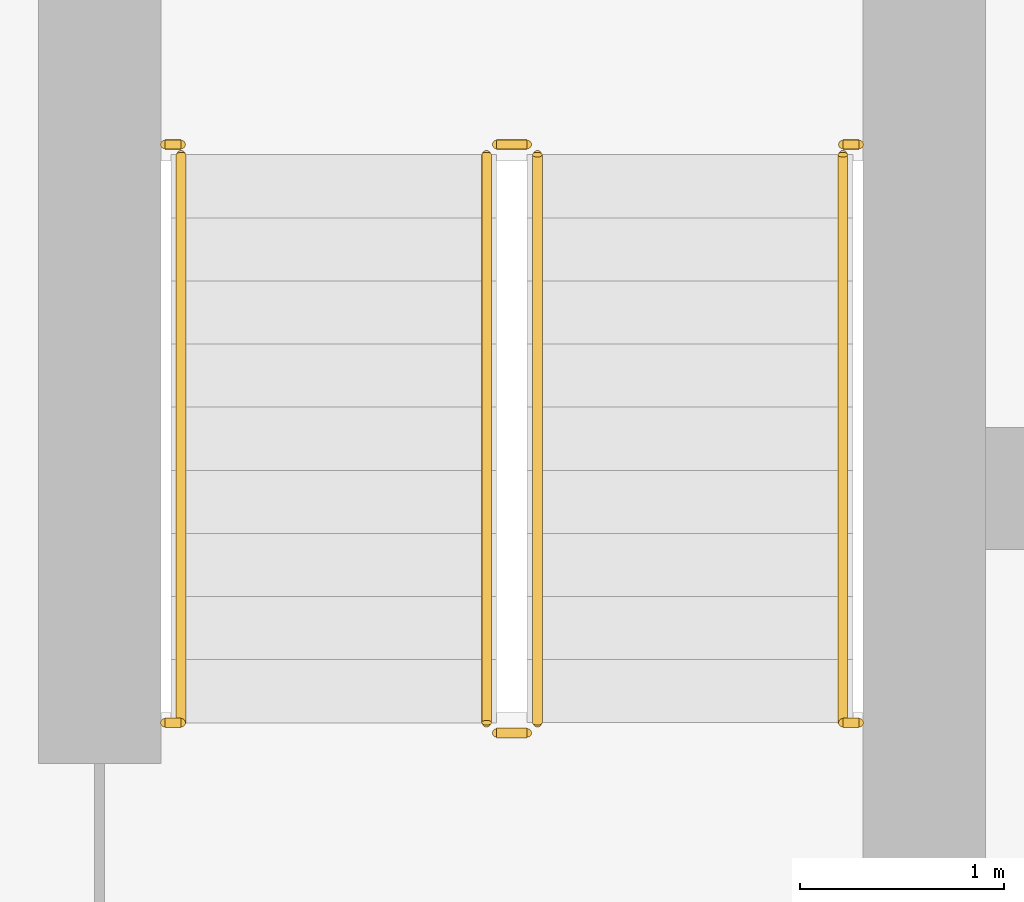
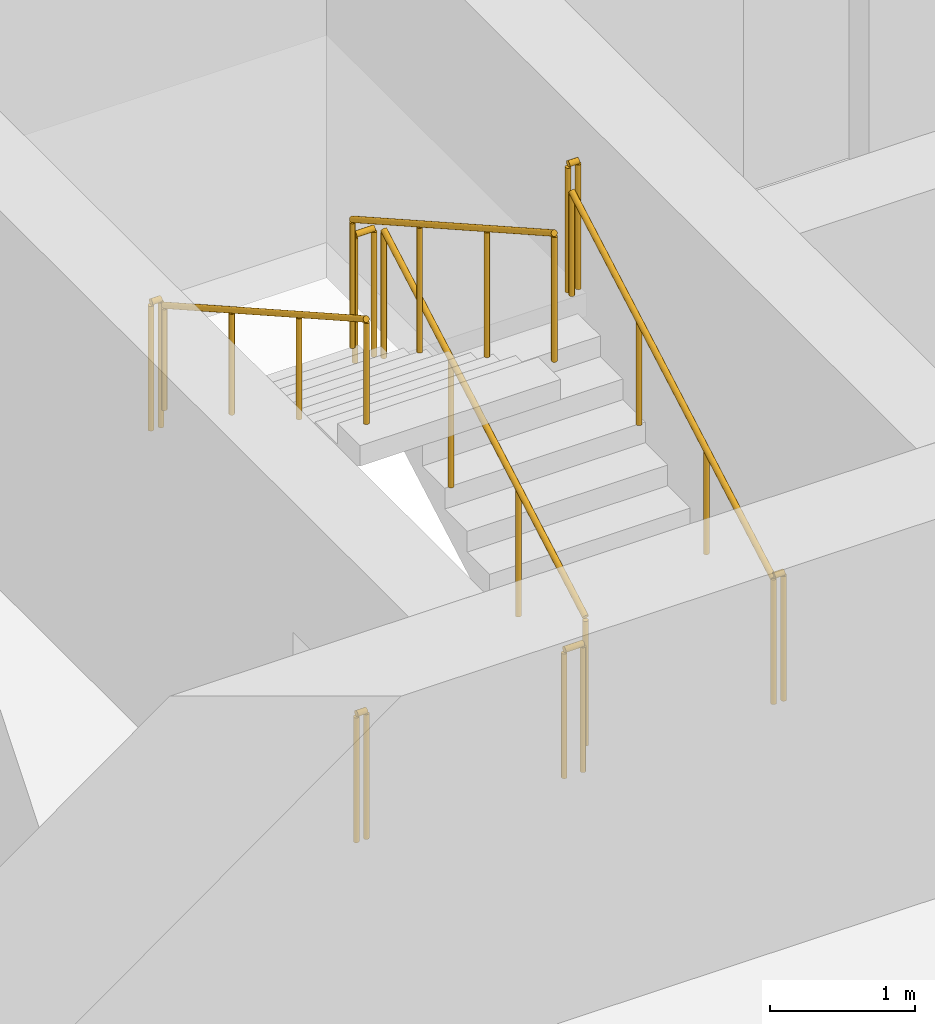
# One storey, part 18 of 22: 10 railings.
"""IFC4 building model written with IfcOpenShell, lengths in metres."""

from ifc_helpers import new_model, si_unit, direction, frame, origin, origin_2d, place, context, subcontext, project, spatial, circle, extrude, material, type_object, element, save


model = new_model("IFC4")

# Units and contexts
model_context = context("Model", 3, precision=1e-05, world=origin(), true_north=direction((0.0, 1.0)))
body_context = subcontext(model_context, "Body", "Model", "MODEL_VIEW")
ifc_project = project(units=[si_unit("LENGTHUNIT", "METRE"), si_unit("AREAUNIT", "SQUARE_METRE"), si_unit("VOLUMEUNIT", "CUBIC_METRE"), si_unit("PLANEANGLEUNIT", "RADIAN"), si_unit("MASSUNIT", "GRAM", prefix="KILO")], contexts=[model_context])

# Site, building, storey
site_placement = place(None, origin())
site = spatial("IfcSite", under=ifc_project, at=site_placement, CompositionType="ELEMENT")
building_placement = place(site_placement, origin())
building = spatial("IfcBuilding", under=site, at=building_placement, Name="Madar Terraces", CompositionType="ELEMENT")
storey_placement = place(building_placement, frame((0.0, 0.0, 149.0)))
storey = spatial("IfcBuildingStorey", under=building, at=storey_placement, Name="L38", CompositionType="ELEMENT", Elevation=149.0)

# Railings
ifc_material_1 = material(Name="Stainless steel railing", Category="steel")
railing_type_1 = type_object("IfcRailingType", Name="Stair guard 1100", PredefinedType="GUARDRAIL", material=ifc_material_1)
railing_1_placement = place(storey_placement, frame((21.199951171875, 17.60009765625, 0.175048828125)))
element("IfcRailing", 1, at=railing_1_placement, inside=storey, type_object=railing_type_1, Name="L38 ST1 stair guard 1", PredefinedType="GUARDRAIL", context=body_context, shape_type="SweptSolid", body=[
    extrude(circle(Radius=0.02392578125, at=origin_2d()), frame((0.0, 0.0, 1.076171875), z_axis=(0.0, 0.870815363784, 0.491610213684), x_axis=(-1.0, 0.0, 0.0)), (0.0, 0.0, 1.0), 3.20361328125),
    extrude(circle(Radius=0.02099609375, at=origin_2d()), origin(), (0.0, 0.0, 1.0), 1.052001953125),
    extrude(circle(Radius=0.02099609375, at=origin_2d()), frame((0.0, 0.929931640625, 0.52490234375)), (0.0, 0.0, 1.0), 1.052001953125),
    extrude(circle(Radius=0.02099609375, at=origin_2d()), frame((0.0, 1.85986328125, 1.050048828125)), (0.0, 0.0, 1.0), 1.052001953125),
    extrude(circle(Radius=0.02099609375, at=origin_2d()), frame((0.0, 2.789794921875, 1.574951171875)), (0.0, 0.0, 1.0), 1.052001953125),
])
railing_2_placement = place(storey_placement, frame((21.14990234375, 20.43994140625, 1.75)))
element("IfcRailing", 2, at=railing_2_placement, inside=storey, type_object=railing_type_1, Name="L38 ST1 stair guard 2", PredefinedType="GUARDRAIL", context=body_context, shape_type="SweptSolid", body=[
    extrude(circle(Radius=0.02392578125, at=origin_2d()), frame((0.0, 0.0, 1.076171875), z_axis=(-1.0, 0.0, 0.0), x_axis=(0.0, -1.0, 0.0)), (0.0, 0.0, 1.0), 0.14990234375),
    extrude(circle(Radius=0.02099609375, at=origin_2d()), origin(), (0.0, 0.0, 1.0), 1.052001953125),
    extrude(circle(Radius=0.02099609375, at=origin_2d()), frame((-0.14990234375, 0.0, 0.0)), (0.0, 0.0, 1.0), 1.052001953125),
])
railing_3_placement = place(storey_placement, frame((20.949951171875, 20.389892578125, 1.925048828125)))
element("IfcRailing", 3, at=railing_3_placement, inside=storey, type_object=railing_type_1, Name="L38 ST1 stair guard 3", PredefinedType="GUARDRAIL", context=body_context, shape_type="SweptSolid", body=[
    extrude(circle(Radius=0.02392578125, at=origin_2d()), frame((0.0, 0.0, 1.076171875), z_axis=(0.0, -0.870815363784, 0.491610213684), x_axis=(1.0, 0.0, 0.0)), (0.0, 0.0, 1.0), 3.20361328125),
    extrude(circle(Radius=0.02099609375, at=origin_2d()), origin(), (0.0, 0.0, 1.0), 1.052001953125),
    extrude(circle(Radius=0.02099609375, at=origin_2d()), frame((0.0, -0.929931640625, 0.52490234375)), (0.0, 0.0, 1.0), 1.052001953125),
    extrude(circle(Radius=0.02099609375, at=origin_2d()), frame((0.0, -1.85986328125, 1.050048828125)), (0.0, 0.0, 1.0), 1.052001953125),
    extrude(circle(Radius=0.02099609375, at=origin_2d()), frame((0.0, -2.789794921875, 1.574951171875)), (0.0, 0.0, 1.0), 1.052001953125),
])
railing_4_placement = place(storey_placement, frame((21.14990234375, 17.550048828125, 0.0)))
element("IfcRailing", 4, at=railing_4_placement, inside=storey, type_object=railing_type_1, Name="L38 ST1 stair guard 4", PredefinedType="GUARDRAIL", context=body_context, shape_type="SweptSolid", body=[
    extrude(circle(Radius=0.02392578125, at=origin_2d()), frame((0.0, 0.0, 1.076171875), z_axis=(-1.0, 0.0, 0.0), x_axis=(0.0, -1.0, 0.0)), (0.0, 0.0, 1.0), 0.14990234375),
    extrude(circle(Radius=0.02099609375, at=origin_2d()), origin(), (0.0, 0.0, 1.0), 1.052001953125),
    extrude(circle(Radius=0.02099609375, at=origin_2d()), frame((-0.14990234375, 0.0, 0.0)), (0.0, 0.0, 1.0), 1.052001953125),
])
railing_5_placement = place(storey_placement, frame((19.3701171875, 20.43994140625, 1.75)))
element("IfcRailing", 5, at=railing_5_placement, inside=storey, type_object=railing_type_1, Name="L38 stair guard seat 1", PredefinedType="GUARDRAIL", context=body_context, shape_type="SweptSolid", body=[
    extrude(circle(Radius=0.02392578125, at=origin_2d()), frame((0.0, 0.0, 1.076171875), z_axis=(1.0, 0.0, 0.0), x_axis=(0.0, 1.0, 0.0)), (0.0, 0.0, 1.0), 0.079833984375),
    extrude(circle(Radius=0.02099609375, at=origin_2d()), origin(), (0.0, 0.0, 1.0), 1.052001953125),
    extrude(circle(Radius=0.02099609375, at=origin_2d()), frame((0.079833984375, 0.0, 0.0)), (0.0, 0.0, 1.0), 1.052001953125),
])
railing_6_placement = place(storey_placement, frame((22.699951171875, 20.43994140625, 1.75)))
element("IfcRailing", 6, at=railing_6_placement, inside=storey, type_object=railing_type_1, Name="L38 stair guard seat 2", PredefinedType="GUARDRAIL", context=body_context, shape_type="SweptSolid", body=[
    extrude(circle(Radius=0.02392578125, at=origin_2d()), frame((0.0, 0.0, 1.076171875), z_axis=(1.0, 0.0, 0.0), x_axis=(0.0, 1.0, 0.0)), (0.0, 0.0, 1.0), 0.080078125),
    extrude(circle(Radius=0.02099609375, at=origin_2d()), origin(), (0.0, 0.0, 1.0), 1.052001953125),
    extrude(circle(Radius=0.02099609375, at=origin_2d()), frame((0.080078125, 0.0, 0.0)), (0.0, 0.0, 1.0), 1.052001953125),
])
railing_7_placement = place(storey_placement, frame((19.3701171875, 17.60009765625, 0.0)))
element("IfcRailing", 7, at=railing_7_placement, inside=storey, type_object=railing_type_1, Name="L38 stair guard floor 1", PredefinedType="GUARDRAIL", context=body_context, shape_type="SweptSolid", body=[
    extrude(circle(Radius=0.02392578125, at=origin_2d()), frame((0.0, 0.0, 1.076171875), z_axis=(1.0, 0.0, 0.0), x_axis=(0.0, 1.0, 0.0)), (0.0, 0.0, 1.0), 0.079833984375),
    extrude(circle(Radius=0.02099609375, at=origin_2d()), origin(), (0.0, 0.0, 1.0), 1.052001953125),
    extrude(circle(Radius=0.02099609375, at=origin_2d()), frame((0.079833984375, 0.0, 0.0)), (0.0, 0.0, 1.0), 1.052001953125),
])
railing_8_placement = place(storey_placement, frame((22.699951171875, 17.60009765625, 0.0)))
element("IfcRailing", 8, at=railing_8_placement, inside=storey, type_object=railing_type_1, Name="L38 stair guard floor 2", PredefinedType="GUARDRAIL", context=body_context, shape_type="SweptSolid", body=[
    extrude(circle(Radius=0.02392578125, at=origin_2d()), frame((0.0, 0.0, 1.076171875), z_axis=(1.0, 0.0, 0.0), x_axis=(0.0, 1.0, 0.0)), (0.0, 0.0, 1.0), 0.080078125),
    extrude(circle(Radius=0.02099609375, at=origin_2d()), origin(), (0.0, 0.0, 1.0), 1.052001953125),
    extrude(circle(Radius=0.02099609375, at=origin_2d()), frame((0.080078125, 0.0, 0.0)), (0.0, 0.0, 1.0), 1.052001953125),
])
ifc_material_2 = material(Name="Stainless steel railing", Category="steel")
railing_type_2 = type_object("IfcRailingType", Name="Stair handrail 900", PredefinedType="HANDRAIL", material=ifc_material_2)
railing_9_placement = place(storey_placement, frame((22.699951171875, 17.60009765625, 0.175048828125)))
element("IfcRailing", 9, at=railing_9_placement, inside=storey, type_object=railing_type_2, Name="L38 ST1 stair handrail 1", PredefinedType="HANDRAIL", context=body_context, shape_type="SweptSolid", body=[
    extrude(circle(Radius=0.02392578125, at=origin_2d()), frame((0.0, 0.0, 0.8759765625), z_axis=(0.0, 0.870815363784, 0.491610213684), x_axis=(-1.0, 0.0, 0.0)), (0.0, 0.0, 1.0), 3.20361328125),
    extrude(circle(Radius=0.02099609375, at=origin_2d()), origin(), (0.0, 0.0, 1.0), 0.851806640625),
    extrude(circle(Radius=0.02099609375, at=origin_2d()), frame((0.0, 0.929931640625, 0.52490234375)), (0.0, 0.0, 1.0), 0.851806640625),
    extrude(circle(Radius=0.02099609375, at=origin_2d()), frame((0.0, 1.85986328125, 1.050048828125)), (0.0, 0.0, 1.0), 0.851806640625),
    extrude(circle(Radius=0.02099609375, at=origin_2d()), frame((0.0, 2.789794921875, 1.574951171875)), (0.0, 0.0, 1.0), 0.851806640625),
])
railing_10_placement = place(storey_placement, frame((19.449951171875, 20.389892578125, 1.925048828125)))
element("IfcRailing", 10, at=railing_10_placement, inside=storey, type_object=railing_type_2, Name="L38 ST1 stair handrail 2", PredefinedType="HANDRAIL", context=body_context, shape_type="SweptSolid", body=[
    extrude(circle(Radius=0.02392578125, at=origin_2d()), frame((0.0, 0.0, 0.8759765625), z_axis=(0.0, -0.870815363784, 0.491610213684), x_axis=(1.0, 0.0, 0.0)), (0.0, 0.0, 1.0), 3.20361328125),
    extrude(circle(Radius=0.02099609375, at=origin_2d()), origin(), (0.0, 0.0, 1.0), 0.851806640625),
    extrude(circle(Radius=0.02099609375, at=origin_2d()), frame((0.0, -0.929931640625, 0.52490234375)), (0.0, 0.0, 1.0), 0.851806640625),
    extrude(circle(Radius=0.02099609375, at=origin_2d()), frame((0.0, -1.85986328125, 1.050048828125)), (0.0, 0.0, 1.0), 0.851806640625),
    extrude(circle(Radius=0.02099609375, at=origin_2d()), frame((0.0, -2.789794921875, 1.574951171875)), (0.0, 0.0, 1.0), 0.851806640625),
])

save(model, "model.ifc")
